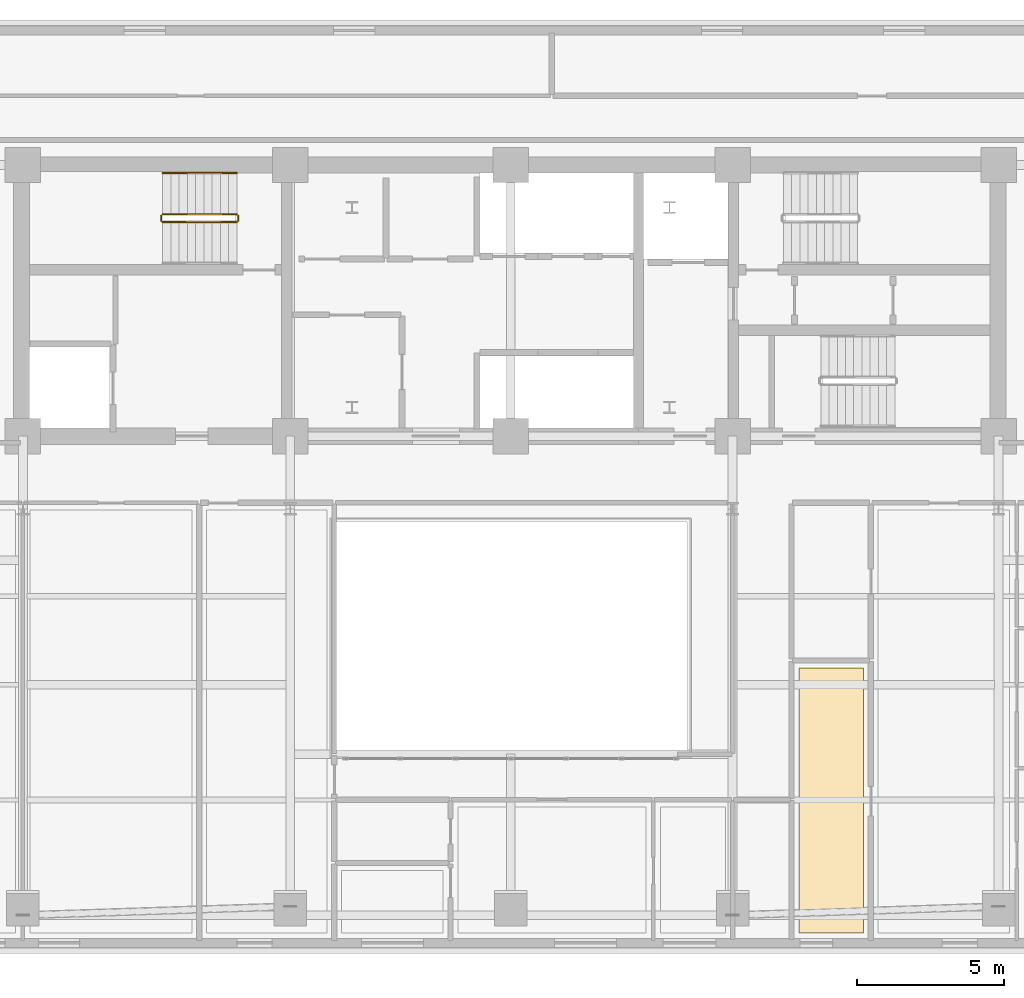
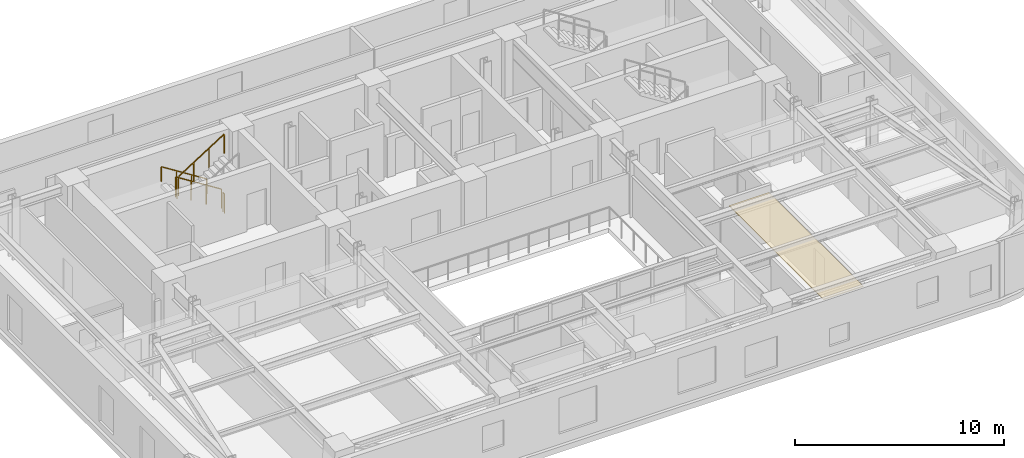
# One storey, part 11 of 12: 5 railings, 1 covering.
"""IFC4 building model written with IfcOpenShell, lengths in metres."""

from ifc_helpers import new_model, si_unit, direction, frame, origin, origin_2d, place, context, subcontext, project, spatial, polyline, rectangle, outline, extrude, material, layer, layer_set, type_object, element, save


model = new_model("IFC4")

# Units and contexts
model_context = context("Model", 3, precision=1e-05, world=origin(), true_north=direction((0.0, 1.0)))
body_context = subcontext(model_context, "Body", "Model", "MODEL_VIEW")
ifc_project = project(units=[si_unit("LENGTHUNIT", "METRE"), si_unit("AREAUNIT", "SQUARE_METRE"), si_unit("VOLUMEUNIT", "CUBIC_METRE"), si_unit("PLANEANGLEUNIT", "RADIAN"), si_unit("MASSUNIT", "GRAM", prefix="KILO")], contexts=[model_context])

# Site, building, storey
site_placement = place(None, origin())
site = spatial("IfcSite", under=ifc_project, at=site_placement, CompositionType="ELEMENT")
building_placement = place(site_placement, origin())
building = spatial("IfcBuilding", under=site, at=building_placement, Name="Zarnavel Station Tower", CompositionType="ELEMENT")
storey_placement = place(building_placement, frame((0.0, 0.0, 159.0)))
storey = spatial("IfcBuildingStorey", under=building, at=storey_placement, Name="L43", CompositionType="ELEMENT", Elevation=159.0)

# Covering
ifc_material_1 = material(Name="Perforated Gypsum and Mineral-Wool Acoustic Ceiling", Category="concrete")
ifc_layer = layer(ifc_material_1, 0.0400390625)
ifc_layer_set = layer_set([ifc_layer], Name="COV_CEIL_ACOUSTIC")
covering_type = type_object("IfcCoveringType", Name="COV_CEIL_ACOUSTIC", PredefinedType="CEILING", material=ifc_layer_set)
covering_placement = place(storey_placement, frame((0.0, 0.0, 2.969970703125)))
element("IfcCovering", 1, at=covering_placement, inside=storey, type_object=covering_type, Name="L43 UE1KT Acoustic Ceiling", PredefinedType="CEILING", context=body_context, shape_type="SweptSolid", body=[
    extrude(outline(polyline([(38.60009765625, 10.909912109375), (40.800048828125, 10.909912109375), (40.800048828125, 19.93994140625), (38.60009765625, 19.93994140625), (38.60009765625, 10.909912109375)])), origin(), (0.0, 0.0, 1.0), 0.0400390625),
])

# Railings
ifc_material_2 = material(Name="Painted Steel S355J2 Balustrade", Category="steel")
railing_type_1 = type_object("IfcRailingType", Name="GR_INT_1150", PredefinedType="GUARDRAIL", material=ifc_material_2)
railing_1_placement = place(storey_placement, frame((19.47998046875, 35.3701171875, 0.177490234375)))
element("IfcRailing", 2, at=railing_1_placement, inside=storey, type_object=railing_type_1, Name="L43 ST1 stair guard 1", PredefinedType="GUARDRAIL", context=body_context, shape_type="SweptSolid", body=[
    extrude(rectangle(XDim=0.048095703125, YDim=0.048095703125, at=origin_2d()), frame((-0.001708984375, 0.0, 1.126953125), z_axis=(-0.84460694969, 0.0, 0.535386869969), x_axis=(0.0, -1.0, 0.0)), (0.0, 0.0, 1.0), 2.979736328125),
    extrude(rectangle(XDim=0.0419921875, YDim=0.0419921875, at=origin_2d()), origin(), (0.0, 0.0, 1.0), 1.101806640625),
    extrude(rectangle(XDim=0.0419921875, YDim=0.0419921875, at=origin_2d()), frame((-0.840087890625, 0.0, 0.532470703125)), (0.0, 0.0, 1.0), 1.101806640625),
    extrude(rectangle(XDim=0.0419921875, YDim=0.0419921875, at=origin_2d()), frame((-1.679931640625, 0.0, 1.06494140625)), (0.0, 0.0, 1.0), 1.101806640625),
    extrude(rectangle(XDim=0.0419921875, YDim=0.0419921875, at=origin_2d()), frame((-2.52001953125, 0.0, 1.597412109375)), (0.0, 0.0, 1.0), 1.101806640625),
])
railing_2_placement = place(storey_placement, frame((16.909912109375, 35.320068359375, 1.77490234375)))
element("IfcRailing", 3, at=railing_2_placement, inside=storey, type_object=railing_type_1, Name="L43 ST1 stair guard 2", PredefinedType="GUARDRAIL", context=body_context, shape_type="SweptSolid", body=[
    extrude(rectangle(XDim=0.048095703125, YDim=0.048095703125, at=origin_2d()), frame((0.0, -0.001953125, 1.1259765625), z_axis=(0.0, -1.0, 0.0), x_axis=(1.0, 0.0, 0.0)), (0.0, 0.0, 1.0), 0.15625),
    extrude(rectangle(XDim=0.0419921875, YDim=0.0419921875, at=origin_2d()), origin(), (0.0, 0.0, 1.0), 1.101806640625),
    extrude(rectangle(XDim=0.0419921875, YDim=0.0419921875, at=origin_2d()), frame((0.0, -0.16015625, 0.0)), (0.0, 0.0, 1.0), 1.101806640625),
])
railing_3_placement = place(storey_placement, frame((16.9599609375, 35.110107421875, 1.952392578125)))
element("IfcRailing", 4, at=railing_3_placement, inside=storey, type_object=railing_type_1, Name="L43 ST1 stair guard 3", PredefinedType="GUARDRAIL", context=body_context, shape_type="SweptSolid", body=[
    extrude(rectangle(XDim=0.048095703125, YDim=0.048095703125, at=origin_2d()), frame((0.001708984375, 0.0, 1.126953125), z_axis=(0.84456994832, 0.0, 0.535445237532), x_axis=(0.0, 1.0, 0.0)), (0.0, 0.0, 1.0), 2.979736328125),
    extrude(rectangle(XDim=0.0419921875, YDim=0.0419921875, at=origin_2d()), origin(), (0.0, 0.0, 1.0), 1.101806640625),
    extrude(rectangle(XDim=0.0419921875, YDim=0.0419921875, at=origin_2d()), frame((0.840087890625, 0.0, 0.532470703125)), (0.0, 0.0, 1.0), 1.101806640625),
    extrude(rectangle(XDim=0.0419921875, YDim=0.0419921875, at=origin_2d()), frame((1.679931640625, 0.0, 1.065185546875)), (0.0, 0.0, 1.0), 1.101806640625),
    extrude(rectangle(XDim=0.0419921875, YDim=0.0419921875, at=origin_2d()), frame((2.52001953125, 0.0, 1.59765625)), (0.0, 0.0, 1.0), 1.101806640625),
])
railing_4_placement = place(storey_placement, frame((19.530029296875, 35.320068359375, 0.0)))
element("IfcRailing", 5, at=railing_4_placement, inside=storey, type_object=railing_type_1, Name="L43 ST1 stair guard 4", PredefinedType="GUARDRAIL", context=body_context, shape_type="SweptSolid", body=[
    extrude(rectangle(XDim=0.048095703125, YDim=0.048095703125, at=origin_2d()), frame((0.0, -0.001953125, 1.1259765625), z_axis=(0.0, -1.0, 0.0), x_axis=(1.0, 0.0, 0.0)), (0.0, 0.0, 1.0), 0.15625),
    extrude(rectangle(XDim=0.0419921875, YDim=0.0419921875, at=origin_2d()), origin(), (0.0, 0.0, 1.0), 1.101806640625),
    extrude(rectangle(XDim=0.0419921875, YDim=0.0419921875, at=origin_2d()), frame((0.0, -0.16015625, 0.0)), (0.0, 0.0, 1.0), 1.101806640625),
])
ifc_material_3 = material(Name="Brushed Stainless Steel S355J2 Handrail", Category="steel")
railing_type_2 = type_object("IfcRailingType", Name="HR_STAIR_900", PredefinedType="HANDRAIL", material=ifc_material_3)
railing_5_placement = place(storey_placement, frame((19.47998046875, 36.77001953125, 0.177490234375)))
element("IfcRailing", 6, at=railing_5_placement, inside=storey, type_object=railing_type_2, Name="L43 ST1 stair handrail 1", PredefinedType="HANDRAIL", context=body_context, shape_type="SweptSolid", body=[
    extrude(rectangle(XDim=0.048095703125, YDim=0.048095703125, at=origin_2d()), frame((-0.001708984375, 0.0, 0.876953125), z_axis=(-0.84460694969, 0.0, 0.535386869969), x_axis=(0.0, -1.0, 0.0)), (0.0, 0.0, 1.0), 2.979736328125),
    extrude(rectangle(XDim=0.0419921875, YDim=0.0419921875, at=origin_2d()), origin(), (0.0, 0.0, 1.0), 0.851806640625),
    extrude(rectangle(XDim=0.0419921875, YDim=0.0419921875, at=origin_2d()), frame((-0.840087890625, 0.0, 0.532470703125)), (0.0, 0.0, 1.0), 0.851806640625),
    extrude(rectangle(XDim=0.0419921875, YDim=0.0419921875, at=origin_2d()), frame((-1.679931640625, 0.0, 1.06494140625)), (0.0, 0.0, 1.0), 0.851806640625),
    extrude(rectangle(XDim=0.0419921875, YDim=0.0419921875, at=origin_2d()), frame((-2.52001953125, 0.0, 1.597412109375)), (0.0, 0.0, 1.0), 0.851806640625),
])

save(model, "model.ifc")
